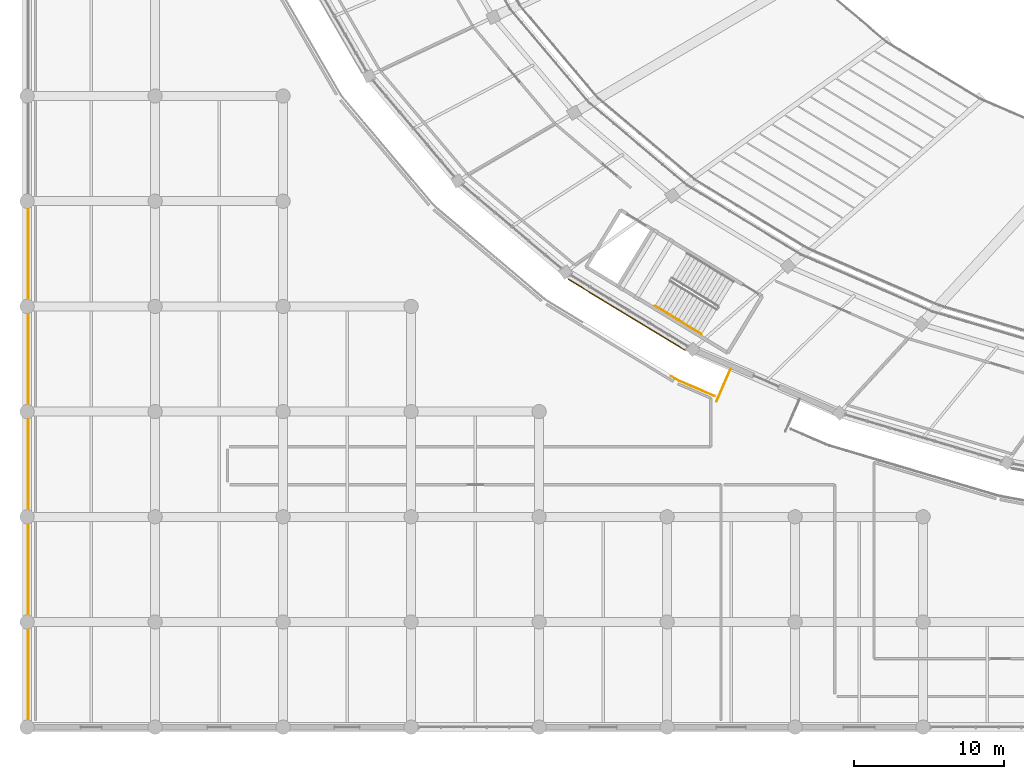
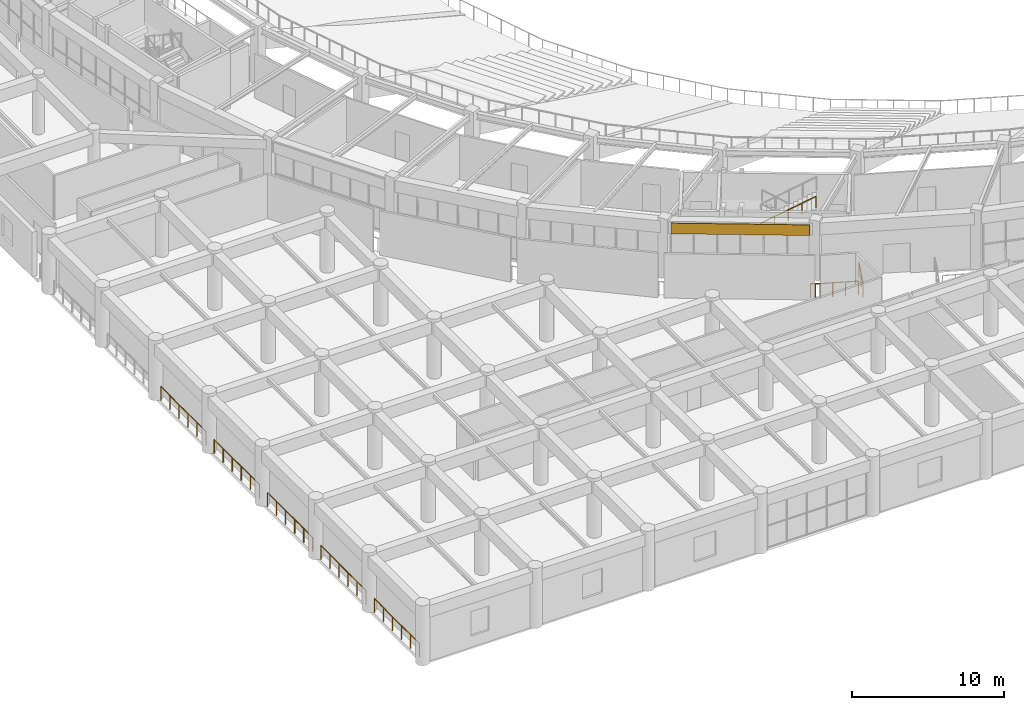
# One storey, part 110 of 137: 8 railings, 1 covering.
"""IFC4 building model written with IfcOpenShell, lengths in metres."""

from ifc_helpers import new_model, si_unit, direction, frame, origin, origin_2d, place, context, subcontext, project, spatial, rectangle, circle, extrude, material, layer, layer_set, type_object, element, save


model = new_model("IFC4")

# Units and contexts
model_context = context("Model", 3, precision=1e-05, world=origin(), true_north=direction((0.0, 1.0)))
body_context = subcontext(model_context, "Body", "Model", "MODEL_VIEW")
ifc_project = project(units=[si_unit("LENGTHUNIT", "METRE"), si_unit("AREAUNIT", "SQUARE_METRE"), si_unit("VOLUMEUNIT", "CUBIC_METRE"), si_unit("PLANEANGLEUNIT", "RADIAN"), si_unit("MASSUNIT", "GRAM", prefix="KILO")], contexts=[model_context])

# Site, building, storey
site_placement = place(None, origin())
site = spatial("IfcSite", under=ifc_project, at=site_placement, CompositionType="ELEMENT")
building_placement = place(site_placement, origin())
building = spatial("IfcBuilding", under=site, at=building_placement, Name="Mphavela Belvedere Stadium", CompositionType="ELEMENT")
storey_placement = place(building_placement, frame((0.0, 0.0, 19.199951171875)))
storey = spatial("IfcBuildingStorey", under=building, at=storey_placement, Name="L04", CompositionType="ELEMENT", Elevation=19.199951171875)

# Covering
ifc_material_1 = material(Name="Carved classical limestone entablature frieze cladding", Category="masonry")
ifc_layer = layer(ifc_material_1, 0.06005859375)
ifc_layer_set = layer_set([ifc_layer], Name="Carved classical limestone entablature frieze cladding")
covering_type = type_object("IfcCoveringType", Name="COV-FRIEZE-CLAD", PredefinedType="CLADDING", material=ifc_layer_set)
covering_placement = place(storey_placement, frame((39.90771484375, 27.43896484375, 3.594970703125), z_axis=(0.0, 0.0, 1.0), x_axis=(0.854368143929, -0.519668235165, 0.0)))
element("IfcCovering", 1, at=covering_placement, inside=storey, type_object=covering_type, Name="Classical entablature frieze cladding L04-31", PredefinedType="CLADDING", context=body_context, shape_type="SweptSolid", body=[
    extrude(rectangle(XDim=9.105712890625, YDim=0.06005859375, at=origin_2d()), origin(), (0.0, 0.0, 1.0), 0.85009765625),
])

# Railings
ifc_material_2 = material(Name="Bronze and laminated glass stadium balustrade", Category="glass")
railing_type_1 = type_object("IfcRailingType", Name="RAL-BALUSTRADE-1120", PredefinedType="BALUSTRADE", material=ifc_material_2)
railing_1_placement = place(storey_placement, frame((46.809814453125, 23.834716796875, 0.0)))
element("IfcRailing", 2, at=railing_1_placement, inside=storey, type_object=railing_type_1, Name="Colonnade link bridge balustrade L04-32A", PredefinedType="BALUSTRADE", context=body_context, shape_type="SweptSolid", body=[
    extrude(circle(Radius=0.02392578125, at=origin_2d()), frame((0.0, 0.0, 1.09619140625), z_axis=(-0.397802772945, -0.91747095531, 0.0), x_axis=(0.91747095531, -0.397802772945, 0.0)), (0.0, 0.0, 1.0), 2.349853515625),
    extrude(circle(Radius=0.02099609375, at=origin_2d()), origin(), (0.0, 0.0, 1.0), 1.072021484375),
    extrude(circle(Radius=0.02099609375, at=origin_2d()), frame((-0.46728515625, -1.078125, 0.0)), (0.0, 0.0, 1.0), 1.072021484375),
    extrude(circle(Radius=0.02099609375, at=origin_2d()), frame((-0.934814453125, -2.156005859375, 0.0)), (0.0, 0.0, 1.0), 1.072021484375),
])
railing_2_placement = place(storey_placement, frame((42.868896484375, 23.34326171875, 0.0)))
element("IfcRailing", 3, at=railing_2_placement, inside=storey, type_object=railing_type_1, Name="Peristyle wing gallery edge balustrade L04-02", PredefinedType="BALUSTRADE", context=body_context, shape_type="SweptSolid", body=[
    extrude(circle(Radius=0.02392578125, at=origin_2d()), frame((0.0, 0.0, 1.09619140625), z_axis=(0.85487840282, -0.518828407464, 0.0), x_axis=(0.518828407464, 0.85487840282, 0.0)), (0.0, 0.0, 1.0), 0.2978515625),
    extrude(circle(Radius=0.02392578125, at=origin_2d()), frame((0.254638671875, -0.154541015625, 1.09619140625), z_axis=(0.887994409277, -0.459854247661, 0.0), x_axis=(0.459854247661, 0.887994409277, 0.0)), (0.0, 0.0, 1.0), 0.307861328125),
    extrude(circle(Radius=0.02392578125, at=origin_2d()), frame((0.528076171875, -0.296142578125, 1.09619140625), z_axis=(0.917490104343, -0.397758605731, 0.0), x_axis=(0.397758605731, 0.917490104343, 0.0)), (0.0, 0.0, 1.0), 2.5380859375),
    extrude(circle(Radius=0.02099609375, at=origin_2d()), origin(), (0.0, 0.0, 1.0), 1.072021484375),
    extrude(circle(Radius=0.02099609375, at=origin_2d()), frame((0.254638671875, -0.154541015625, 0.0)), (0.0, 0.0, 1.0), 1.072021484375),
    extrude(circle(Radius=0.02099609375, at=origin_2d()), frame((0.528076171875, -0.296142578125, 0.0)), (0.0, 0.0, 1.0), 1.072021484375),
    extrude(circle(Radius=0.02099609375, at=origin_2d()), frame((1.30419921875, -0.632568359375, 0.0)), (0.0, 0.0, 1.0), 1.072021484375),
    extrude(circle(Radius=0.02099609375, at=origin_2d()), frame((2.08056640625, -0.96923828125, 0.0)), (0.0, 0.0, 1.0), 1.072021484375),
    extrude(circle(Radius=0.02099609375, at=origin_2d()), frame((2.856689453125, -1.3056640625, 0.0)), (0.0, 0.0, 1.0), 1.072021484375),
])
for number, where, name in (
    (4, (0.080078125, 0.54345703125, 0.0), "Peristyle wing gallery edge balustrade L04-16"),
    (5, (0.080078125, 7.54345703125, 0.0), "Peristyle wing gallery edge balustrade L04-17"),
    (6, (0.080078125, 14.54345703125, 0.0), "Peristyle wing gallery edge balustrade L04-18"),
    (7, (0.080078125, 21.54345703125, 0.0), "Peristyle wing gallery edge balustrade L04-19"),
    (8, (0.080078125, 28.54345703125, 0.0), "Peristyle wing gallery edge balustrade L04-20"),
):
    element("IfcRailing", number, at=place(storey_placement, frame(where)), inside=storey, type_object=railing_type_1, Name=name, PredefinedType="BALUSTRADE", context=body_context, shape_type="SweptSolid", body=[
        extrude(circle(Radius=0.02392578125, at=origin_2d()), frame((0.0, 0.0, 1.09619140625), z_axis=(0.0, 1.0, 0.0), x_axis=(-1.0, 0.0, 0.0)), (0.0, 0.0, 1.0), 5.9130859375),
        extrude(circle(Radius=0.02099609375, at=origin_2d()), origin(), (0.0, 0.0, 1.0), 1.072021484375),
        extrude(circle(Radius=0.02099609375, at=origin_2d()), frame((0.0, 1.1826171875, 0.0)), (0.0, 0.0, 1.0), 1.072021484375),
        extrude(circle(Radius=0.02099609375, at=origin_2d()), frame((0.0, 2.365234375, 0.0)), (0.0, 0.0, 1.0), 1.072021484375),
        extrude(circle(Radius=0.02099609375, at=origin_2d()), frame((0.0, 3.5478515625, 0.0)), (0.0, 0.0, 1.0), 1.072021484375),
        extrude(circle(Radius=0.02099609375, at=origin_2d()), frame((0.0, 4.73046875, 0.0)), (0.0, 0.0, 1.0), 1.072021484375),
        extrude(circle(Radius=0.02099609375, at=origin_2d()), frame((0.0, 5.9130859375, 0.0)), (0.0, 0.0, 1.0), 1.072021484375),
    ])
ifc_material_3 = material(Name="Brushed stainless steel tubular handrail", Category="steel")
railing_type_2 = type_object("IfcRailingType", Name="RAL-HANDRAIL-900", PredefinedType="HANDRAIL", material=ifc_material_3)
railing_3_placement = place(storey_placement, frame((41.787841796875, 28.03564453125, 2.584716796875)))
element("IfcRailing", 9, at=railing_3_placement, inside=storey, type_object=railing_type_2, Name="L04 ST-C10 stair handrail 2", PredefinedType="HANDRAIL", context=body_context, shape_type="SweptSolid", body=[
    extrude(circle(Radius=0.02392578125, at=origin_2d()), frame((0.0, 0.0, 0.8759765625), z_axis=(0.728951227781, -0.443394556939, 0.521566270374), x_axis=(0.519677634444, 0.854362426759, 0.0)), (0.0, 0.0, 1.0), 4.24755859375),
    extrude(circle(Radius=0.02099609375, at=origin_2d()), origin(), (0.0, 0.0, 1.0), 0.851806640625),
    extrude(circle(Radius=0.02099609375, at=origin_2d()), frame((0.77392578125, -0.470703125, 0.5537109375)), (0.0, 0.0, 1.0), 0.851806640625),
    extrude(circle(Radius=0.02099609375, at=origin_2d()), frame((1.548095703125, -0.941650390625, 1.107666015625)), (0.0, 0.0, 1.0), 0.851806640625),
    extrude(circle(Radius=0.02099609375, at=origin_2d()), frame((2.322265625, -1.41259765625, 1.66162109375)), (0.0, 0.0, 1.0), 0.851806640625),
    extrude(circle(Radius=0.02099609375, at=origin_2d()), frame((3.09619140625, -1.88330078125, 2.21533203125)), (0.0, 0.0, 1.0), 0.851806640625),
])

save(model, "model.ifc")
